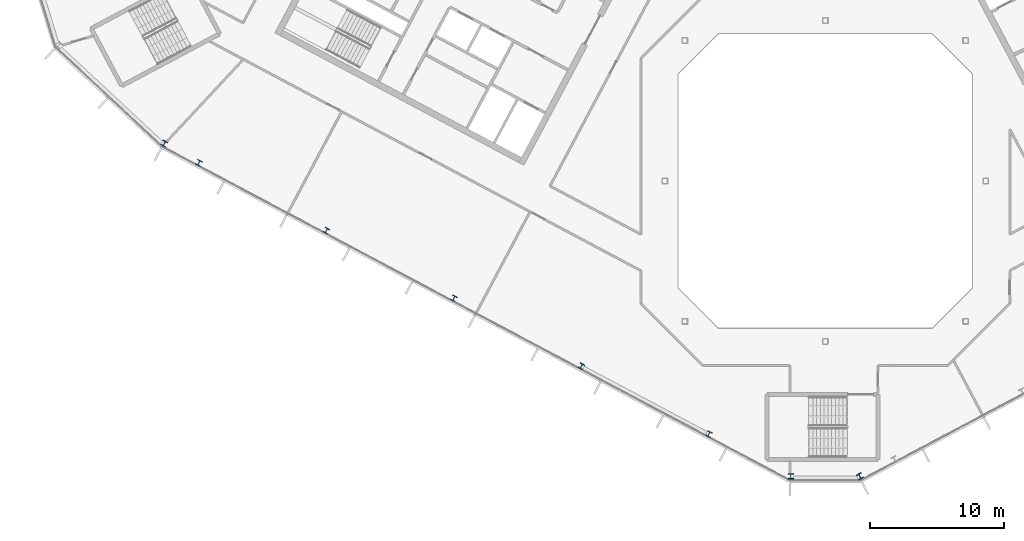
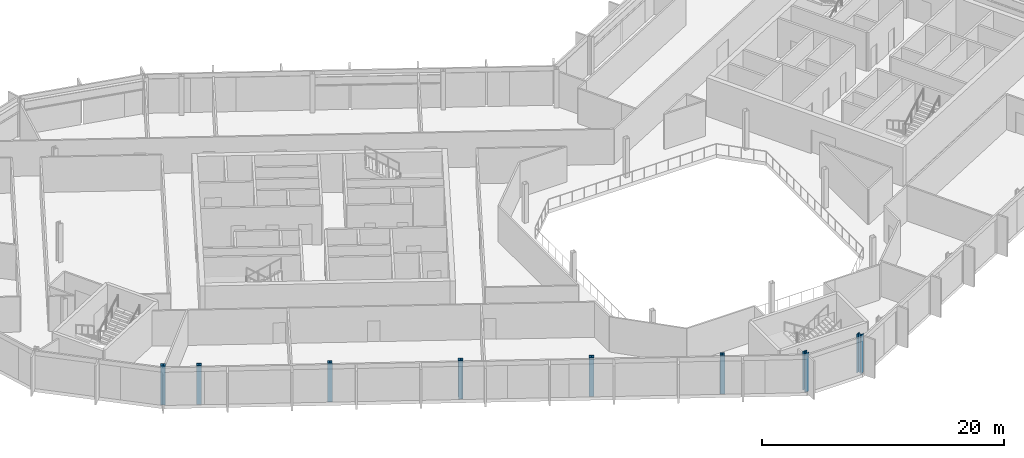
# One storey, part 1 of 25: 8 columns.
"""IFC4 building model written with IfcOpenShell, lengths in metres."""

import ifcopenshell
import ifcopenshell.guid

model = None  # the IFC model being written
_history = None  # IfcOwnerHistory: only IFC2X3 demands one
_inside = {}  # id of a spatial element -> (the spatial element, [elements in it])
_under = {}  # id of a project, library or spatial element -> (it, [spatial elements below it])
_declared = {}  # id of a project -> (the project, [libraries it declares])
_typed = {}  # id of a type object -> (the type object, [elements of that type])
_made_of = {}  # id of a material, layer set ... -> (it, [elements and type objects made of it])


def new_model(schema):
    """Start an empty IFC model of exactly this schema.

    Asked for "IFC4X3", IfcOpenShell would pick the latest addendum, in which some entities
    have other attributes; the version numbers below select the first issue.
    IFC2X3 requires an IfcOwnerHistory on every rooted entity: one is made here for all.
    """
    global model, _history
    if schema == "IFC4X3":
        model = ifcopenshell.file(schema_version=(4, 3, 0, 0))
    else:
        model = ifcopenshell.file(schema=schema)
    _inside.clear()
    _under.clear()
    _declared.clear()
    _typed.clear()
    _made_of.clear()
    _history = None
    if model.schema == "IFC2X3":
        org = make("IfcOrganization", Name="unknown")
        user = make(
            "IfcPersonAndOrganization",
            ThePerson=make("IfcPerson", FamilyName="unknown"),
            TheOrganization=org,
        )
        app = make(
            "IfcApplication",
            ApplicationDeveloper=org,
            Version="unknown",
            ApplicationFullName="unknown",
            ApplicationIdentifier="unknown",
        )
        _history = make(
            "IfcOwnerHistory",
            OwningUser=user,
            OwningApplication=app,
            ChangeAction="ADDED",
            CreationDate=0,
        )
    return model


def make(cls, **values):
    """One entity of the class cls with the attributes given. An attribute that is None is left unset."""
    return model.create_entity(
        cls, **{name: value for name, value in values.items() if value is not None}
    )


def rooted(cls, **values):
    """An entity with a GlobalId (a new one), such as an element, a storey or a relation."""
    return make(cls, GlobalId=ifcopenshell.guid.new(), OwnerHistory=_history, **values)


def si_unit(unit_type, name, prefix=None):
    """IfcSIUnit, for example si_unit("LENGTHUNIT", "METRE", prefix="MILLI")."""
    return make("IfcSIUnit", UnitType=unit_type, Prefix=prefix, Name=name)


def assignment(units):
    """IfcUnitAssignment: the units of a project."""
    return None if units is None else make("IfcUnitAssignment", Units=units)


def point(xyz):
    """IfcCartesianPoint."""
    return None if xyz is None else make("IfcCartesianPoint", Coordinates=xyz)


def direction(xyz):
    """IfcDirection."""
    return None if xyz is None else make("IfcDirection", DirectionRatios=xyz)


def frame(location, z_axis=None, x_axis=None):
    """IfcAxis2Placement3D, a coordinate frame: its origin and axes. An axis left out is left unset."""
    return make(
        "IfcAxis2Placement3D",
        Location=point(location),
        Axis=direction(z_axis),
        RefDirection=direction(x_axis),
    )


def frame_2d(location, x_axis=None):
    """IfcAxis2Placement2D, a coordinate frame in the plane: its origin and x axis."""
    return make(
        "IfcAxis2Placement2D", Location=point(location), RefDirection=direction(x_axis)
    )


def origin():
    """The frame at (0, 0, 0) with its axes left unset."""
    return frame((0.0, 0.0, 0.0))


def origin_2d():
    """The frame at (0, 0) in the plane with its x axis left unset."""
    return frame_2d((0.0, 0.0))


def place(relative_to, where):
    """IfcLocalPlacement: puts the frame where relative to a parent placement (None: the world)."""
    return make(
        "IfcLocalPlacement", PlacementRelTo=relative_to, RelativePlacement=where
    )


def context(
    kind, dimensions, precision=None, world=None, true_north=None, identifier=None
):
    """IfcGeometricRepresentationContext, for example the 3D "Model" context."""
    return make(
        "IfcGeometricRepresentationContext",
        ContextIdentifier=identifier,
        ContextType=kind,
        CoordinateSpaceDimension=dimensions,
        Precision=precision,
        WorldCoordinateSystem=world,
        TrueNorth=true_north,
    )


def subcontext(parent, identifier, kind, view, scale=None):
    """IfcGeometricRepresentationSubContext, for example "Body" below "Model"."""
    return make(
        "IfcGeometricRepresentationSubContext",
        ContextIdentifier=identifier,
        ContextType=kind,
        ParentContext=parent,
        TargetScale=scale,
        TargetView=view,
    )


def project(units=None, contexts=None):
    """IfcProject with its units and contexts."""
    return rooted(
        "IfcProject",
        Name="project",
        RepresentationContexts=contexts,
        UnitsInContext=assignment(units),
    )


def spatial(cls, under=None, at=None, **own):
    """A site, building, storey or space (cls), placed at a placement, below another one or the project."""
    s = rooted(cls, ObjectPlacement=at, **own)
    if under is not None:
        _under.setdefault(under.id(), (under, []))[1].append(s)
    return s


def profile(cls, at=None, kind="AREA", **sizes):
    """A parametric profile (cls). Its sizes go by their IFC names, for example OverallWidth=200.0."""
    return make(cls, ProfileType=kind, Position=at, **sizes)


def i_section(**sizes):
    """IfcIShapeProfileDef."""
    return profile("IfcIShapeProfileDef", **sizes)


def extrude(swept, where, along, depth):
    """IfcExtrudedAreaSolid: the profile swept, set in the frame where, extruded along a direction by depth."""
    return make(
        "IfcExtrudedAreaSolid",
        SweptArea=swept,
        Position=where,
        ExtrudedDirection=direction(along),
        Depth=depth,
    )


def shape(context_of_items, identifier, shape_type, items):
    """IfcShapeRepresentation: the items that make up one representation, for example the "Body"."""
    return make(
        "IfcShapeRepresentation",
        ContextOfItems=context_of_items,
        RepresentationIdentifier=identifier,
        RepresentationType=shape_type,
        Items=items,
    )


def material(Name=None, Category=None):
    """IfcMaterial."""
    return make("IfcMaterial", Name=Name, Category=Category)


def material_profile(
    of_material, cross_section, Name=None, Category=None, Priority=None
):
    """IfcMaterialProfile: a cross section and its material."""
    return make(
        "IfcMaterialProfile",
        Name=Name,
        Material=of_material,
        Profile=cross_section,
        Priority=Priority,
        Category=Category,
    )


def profile_set(profiles, Name=None, composite=None):
    """IfcMaterialProfileSet."""
    return make(
        "IfcMaterialProfileSet",
        Name=Name,
        MaterialProfiles=profiles,
        CompositeProfile=composite,
    )


def made_of(thing, what):
    """Note that an element or type object is made of a material, layer set ...; save() writes the relation."""
    if what is not None:
        _made_of.setdefault(what.id(), (what, []))[1].append(thing)
    return thing


def type_object(cls, material=None, **own):
    """A type object (cls), such as IfcWallType, which elements share."""
    return made_of(rooted(cls, **own), material)


def element(
    cls,
    number,
    at=None,
    inside=None,
    cuts=None,
    type_object=None,
    material=None,
    context=None,
    identifier="Body",
    shape_type=None,
    held_by="IfcProductDefinitionShape",
    body=None,
    shapes=None,
    **own,
):
    """One element of the class cls, such as IfcWall. Its Tag is "e" and its number.

    at: its placement. inside: the storey or other place that contains it. cuts: it is an
    opening in that element (IfcRelVoidsElement). A single representation is given by context,
    identifier, shape_type and body (its items); several are given by shapes. held_by: the class
    of the entity that holds the representations. save() writes the other relations.
    """
    e = rooted(cls, Tag="e%d" % number, ObjectPlacement=at, **own)
    if body is not None:
        shapes = [shape(context, identifier, shape_type, body)]
    if shapes is not None:
        e.Representation = make(held_by, Representations=shapes)
    if inside is not None:
        _inside.setdefault(inside.id(), (inside, []))[1].append(e)
    if cuts is not None:
        rooted(
            "IfcRelVoidsElement", RelatingBuildingElement=cuts, RelatedOpeningElement=e
        )
    if type_object is not None:
        _typed.setdefault(type_object.id(), (type_object, []))[1].append(e)
    return made_of(e, material)


def aggregate(whole, parts):
    """IfcRelAggregates: a whole, such as a stair, and the parts it consists of."""
    return rooted("IfcRelAggregates", RelatingObject=whole, RelatedObjects=parts)


def save(model, path):
    """Write the relations noted so far, then the file.

    IfcRelAggregates (storeys below a building ...), IfcRelContainedInSpatialStructure (elements
    in a storey), IfcRelDefinesByType, IfcRelAssociatesMaterial and IfcRelDeclares: one each for
    every whole, place, type object, material and project.
    """
    for whole, parts in _under.values():
        aggregate(whole, parts)
    for where, things in _inside.values():
        rooted(
            "IfcRelContainedInSpatialStructure",
            RelatedElements=things,
            RelatingStructure=where,
        )
    for kind, things in _typed.values():
        rooted("IfcRelDefinesByType", RelatedObjects=things, RelatingType=kind)
    for what, things in _made_of.values():
        rooted("IfcRelAssociatesMaterial", RelatedObjects=things, RelatingMaterial=what)
    for by, libraries in _declared.values():
        rooted("IfcRelDeclares", RelatingContext=by, RelatedDefinitions=libraries)
    model.write(path)


model = new_model("IFC4")

# Units and contexts
model_context = context("Model", 3, precision=1e-05, world=origin(), true_north=direction((0.0, 1.0)))
body_context = subcontext(model_context, "Body", "Model", "MODEL_VIEW")
ifc_project = project(units=[si_unit("LENGTHUNIT", "METRE"), si_unit("AREAUNIT", "SQUARE_METRE"), si_unit("VOLUMEUNIT", "CUBIC_METRE"), si_unit("PLANEANGLEUNIT", "RADIAN"), si_unit("MASSUNIT", "GRAM", prefix="KILO")], contexts=[model_context])

# Site, building, storey
site_placement = place(None, origin())
site = spatial("IfcSite", under=ifc_project, at=site_placement, CompositionType="ELEMENT")
building_placement = place(site_placement, origin())
building = spatial("IfcBuilding", under=site, at=building_placement, Name="Cormorant Relay Tower", CompositionType="ELEMENT")
storey_placement = place(building_placement, frame((0.0, 0.0, 297.0)))
storey = spatial("IfcBuildingStorey", under=building, at=storey_placement, Name="L67", CompositionType="ELEMENT", Elevation=297.0)

# Columns
ifc_material_1 = material(Name="Steel ASTM A992 (Fy 345 MPa)", Category="steel")
ifc_material_profile_1 = material_profile(ifc_material_1, i_section(OverallWidth=0.398681640625, OverallDepth=0.385986328125, WebThickness=0.02099609375, FlangeThickness=0.033203125, FilletRadius=0.01513671875, at=origin_2d()), Name="W360x262")
ifc_profile_set_1 = profile_set([ifc_material_profile_1], Name="Steel ASTM A992 (Fy 345 MPa)")
column_type_1 = type_object("IfcColumnType", Name="Column W360x262", PredefinedType="COLUMN", material=ifc_profile_set_1)
for number, where, z_axis, x_axis, name in (
    (1, (-8.705078125, -18.928955078125, 0.0), (0.0, 0.0, 1.0), (0.882947592859, -0.469471562786, 0.0), "Column L67-004"),
    (2, (-18.240966796875, -13.85791015625, 0.0), (0.0, 0.0, 1.0), (0.882947592859, -0.469471562786, 0.0), "Column L67-006"),
    (3, (-27.777099609375, -8.7880859375, 0.0), (0.0, 0.0, 1.0), (0.882947592859, -0.469471562786, 0.0), "Column L67-011"),
    (4, (-37.31298828125, -3.718017578125, 0.0), (0.0, 0.0, 1.0), (0.882947592859, -0.469471562786, 0.0), "Column L67-013"),
    (5, (-46.84912109375, 1.35205078125, 0.0), (0.0, 0.0, 1.0), (0.882947592859, -0.469471562786, 0.0), "Column L67-017"),
):
    element("IfcColumn", number, at=place(storey_placement, frame(where, z_axis=z_axis, x_axis=x_axis)), inside=storey, type_object=column_type_1, Name=name, PredefinedType="COLUMN", context=body_context, shape_type="SweptSolid", body=[
        extrude(i_section(OverallWidth=0.398681640625, OverallDepth=0.385986328125, WebThickness=0.02099609375, FlangeThickness=0.033203125, FilletRadius=0.01513671875, at=origin_2d()), origin(), (0.0, 0.0, 1.0), 3.89990234375),
    ])
ifc_material_2 = material(Name="Steel ASTM A992 (Fy 345 MPa)", Category="steel")
ifc_material_profile_2 = material_profile(ifc_material_2, i_section(OverallWidth=0.40380859375, OverallDepth=0.406494140625, WebThickness=0.027099609375, FlangeThickness=0.043701171875, FilletRadius=0.01513671875, at=origin_2d()), Name="W360x347")
ifc_profile_set_2 = profile_set([ifc_material_profile_2], Name="Steel ASTM A992 (Fy 345 MPa)")
column_type_2 = type_object("IfcColumnType", Name="Column W360x347", PredefinedType="COLUMN", material=ifc_profile_set_2)
for number, where, z_axis, x_axis, name in (
    (6, (-2.5791015625, -22.093994140625, 0.0), (0.0, 0.0, 1.0), (1.0, 0.0, 0.0), "Column L67-001"),
    (7, (2.5791015625, -22.093994140625, 0.0), (0.0, 0.0, 1.0), (0.882947592859, 0.469471562786, 0.0), "Column L67-002"),
    (8, (-49.44091796875, 2.7958984375, 0.0), (0.0, 0.0, 1.0), (0.882947592859, -0.469471562786, 0.0), "Column L67-018"),
):
    element("IfcColumn", number, at=place(storey_placement, frame(where, z_axis=z_axis, x_axis=x_axis)), inside=storey, type_object=column_type_2, Name=name, PredefinedType="COLUMN", context=body_context, shape_type="SweptSolid", body=[
        extrude(i_section(OverallWidth=0.40380859375, OverallDepth=0.406494140625, WebThickness=0.027099609375, FlangeThickness=0.043701171875, FilletRadius=0.01513671875, at=origin_2d()), origin(), (0.0, 0.0, 1.0), 3.89990234375),
    ])

save(model, "model.ifc")
